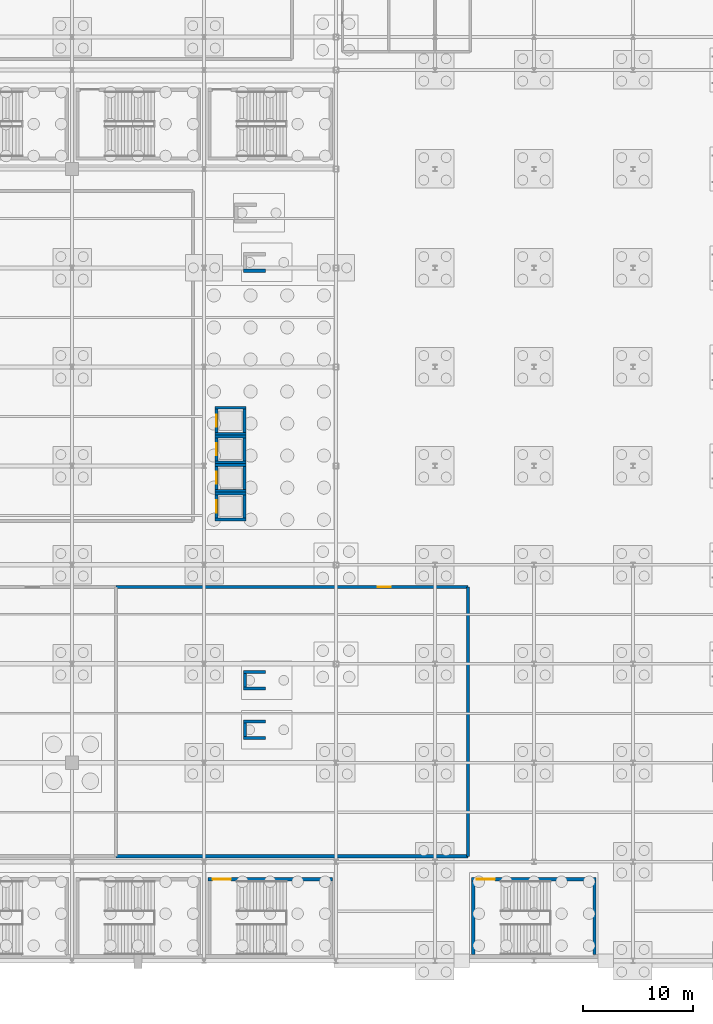
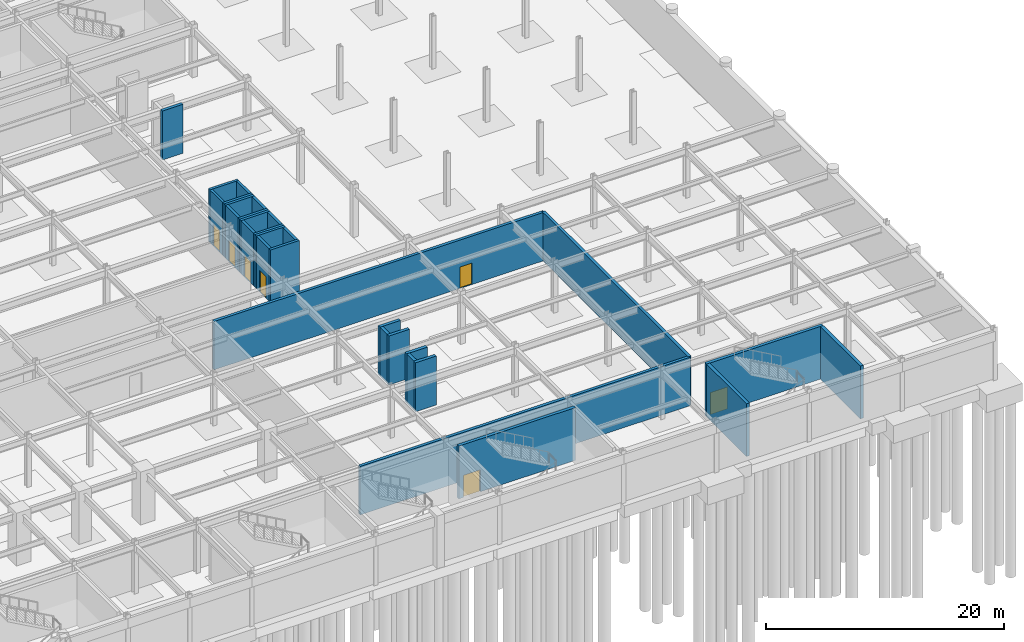
# One storey, part 33 of 47: 30 walls, 7 doors, 7 openings.
"""IFC4 building model written with IfcOpenShell, lengths in metres."""

from ifc_helpers import new_model, si_unit, direction, frame, frame_2d, origin, place, context, subcontext, project, spatial, rectangle, extrude, material, layer, layer_set, type_object, element, fill, save


model = new_model("IFC4")

# Units and contexts
model_context = context("Model", 3, precision=1e-05, world=origin(), true_north=direction((0.0, 1.0)))
body_context = subcontext(model_context, "Body", "Model", "MODEL_VIEW")
ifc_project = project(units=[si_unit("LENGTHUNIT", "METRE"), si_unit("AREAUNIT", "SQUARE_METRE"), si_unit("VOLUMEUNIT", "CUBIC_METRE"), si_unit("PLANEANGLEUNIT", "RADIAN"), si_unit("MASSUNIT", "GRAM", prefix="KILO")], contexts=[model_context])

# Site, building, storey
site_placement = place(None, origin())
site = spatial("IfcSite", under=ifc_project, at=site_placement, CompositionType="ELEMENT")
building_placement = place(site_placement, origin())
building = spatial("IfcBuilding", under=site, at=building_placement, Name="Kaldorvane Square Convention Centre", CompositionType="ELEMENT")
storey_placement = place(building_placement, frame((0.0, 0.0, -5.399993896484375)))
storey = spatial("IfcBuildingStorey", under=building, at=storey_placement, Name="B01", CompositionType="ELEMENT", Elevation=-5.399993896484375)

# Walls
ifc_material_1 = material(Name="Reinforced Concrete Masonry Acoustic Partition", Category="masonry")
ifc_layer_1 = layer(ifc_material_1, 0.279998779296875)
ifc_layer_set_1 = layer_set([ifc_layer_1], Name="Reinforced Concrete Masonry Acoustic Partition")
wall_type_1 = type_object("IfcWallType", Name="WL-ACO-280", PredefinedType="PARTITIONING", material=ifc_layer_set_1)
wall_1_placement = place(storey_placement, frame((118.0, 9.5, 0.0), z_axis=(0.0, 0.0, 1.0), x_axis=(1.0, 0.0, 0.0)))
element("IfcWall", 1, at=wall_1_placement, inside=storey, type_object=wall_type_1, Name="Emergency Standby Generator Room S Wall", PredefinedType="PARTITIONING", context=body_context, shape_type="SweptSolid", body=[
    extrude(rectangle(XDim=32.0, YDim=0.279998779296875, at=frame_2d((16.0, 0.0))), origin(), (0.0, 0.0, 1.0), 4.959991455078125),
])
wall_2_placement = place(storey_placement, frame((150.0, 9.5, 0.0), z_axis=(0.0, 0.0, 1.0), x_axis=(0.0, 1.0, 0.0)))
element("IfcWall", 2, at=wall_2_placement, inside=storey, type_object=wall_type_1, Name="Emergency Standby Generator Room E Wall", PredefinedType="PARTITIONING", context=body_context, shape_type="SweptSolid", body=[
    extrude(rectangle(XDim=24.5, YDim=0.279998779296875, at=frame_2d((12.25, 0.0))), origin(), (0.0, 0.0, 1.0), 4.959991455078125),
])

# Wall, opening, door
wall_3_placement = place(storey_placement, frame((150.0, 34.0, 0.0), z_axis=(0.0, 0.0, 1.0), x_axis=(-1.0, 0.0, 0.0)))
wall_3 = element("IfcWall", 3, at=wall_3_placement, inside=storey, type_object=wall_type_1, Name="Emergency Standby Generator Room N Wall", PredefinedType="PARTITIONING", context=body_context, shape_type="SweptSolid", body=[
    extrude(rectangle(XDim=32.0, YDim=0.279998779296875, at=frame_2d((16.0, 0.0))), origin(), (0.0, 0.0, 1.0), 4.959991455078125),
])
opening_1_placement = place(wall_3_placement, frame((7.0, 0.0, 0.0)))
opening_1 = element("IfcOpeningElement", 4, at=opening_1_placement, cuts=wall_3, Name="Opening ID-14", PredefinedType="OPENING", context=body_context, shape_type="SweptSolid", body=[
    extrude(rectangle(XDim=1.1999969482421875, YDim=2.1999969482421875, at=frame_2d((0.600006103515625, 1.100006103515625))), frame((0.0, 0.154998779296875, 0.0), z_axis=(0.0, -1.0, 0.0), x_axis=(1.0, 0.0, 0.0)), (0.0, 0.0, 1.0), 0.30999755859375),
])
ifc_material_2 = material(Name="Insulated Hollow Metal Steel", Category="steel")
door_type_1 = type_object("IfcDoorType", Name="DR-PLANT-1200X2200", OperationType="SINGLE_SWING_LEFT", PredefinedType="DOOR", material=ifc_material_2)
door_1_placement = place(opening_1_placement, origin())
door_1 = element("IfcDoor", 5, at=door_1_placement, inside=storey, type_object=door_type_1, Name="Emergency Standby Generator Room Door 1", OperationType="SINGLE_SWING_LEFT", OverallHeight=2.1999969482421875, OverallWidth=1.1999969482421875, PredefinedType="DOOR", context=body_context, shape_type="SweptSolid", body=[
    extrude(rectangle(XDim=1.1999969482421875, YDim=2.1999969482421875, at=frame_2d((0.600006103515625, 1.100006103515625))), frame((0.0, 0.024993896484375, 0.0), z_axis=(0.0, -1.0, 0.0), x_axis=(1.0, 0.0, 0.0)), (0.0, 0.0, 1.0), 0.0500030517578125),
])
fill(opening_1, door_1)

ifc_material_3 = material(Name="Concrete f'c = 55 MPa (Normalweight)", Category="concrete")
ifc_layer_2 = layer(ifc_material_3, 0.3000030517578125)
ifc_layer_set_2 = layer_set([ifc_layer_2], Name="Concrete f'c = 55 MPa (Normalweight)")
wall_type_2 = type_object("IfcWallType", Name="WL-SHAFT-300", PredefinedType="SHEAR", material=ifc_layer_set_2)
wall_4_placement = place(storey_placement, frame((137.66000366210938, 7.410003662109375, 0.0), z_axis=(0.0, 0.0, 1.0), x_axis=(-1.0, 0.0, 0.0)))
wall_4 = element("IfcWall", 6, at=wall_4_placement, inside=storey, type_object=wall_type_2, Name="Core Enclosure Wall stair:ST-C10-N (B01)", PredefinedType="SHEAR", context=body_context, shape_type="SweptSolid", body=[
    extrude(rectangle(XDim=11.32000732421875, YDim=0.3000030517578125, at=frame_2d((5.660003662109375, 0.0))), origin(), (0.0, 0.0, 1.0), 5.399993896484375),
])
opening_2_placement = place(wall_4_placement, frame((9.220001220703125, 0.0, 0.0)))
opening_2 = element("IfcOpeningElement", 7, at=opening_2_placement, cuts=wall_4, Name="Opening FD90-S2", PredefinedType="OPENING", context=body_context, shape_type="SweptSolid", body=[
    extrude(rectangle(XDim=1.649993896484375, YDim=2.25, at=frame_2d((0.8249969482421875, 1.125))), frame((0.0, 0.165008544921875, 0.0), z_axis=(0.0, -1.0, 0.0), x_axis=(1.0, 0.0, 0.0)), (0.0, 0.0, 1.0), 0.3300018310546875),
])
ifc_material_4 = material(Name="Fire-Rated Hollow Metal Steel", Category="steel")
door_type_2 = type_object("IfcDoorType", Name="DR-STAIR-1650", OperationType="DOUBLE_DOOR_SINGLE_SWING", PredefinedType="DOOR", material=ifc_material_4)
door_2_placement = place(opening_2_placement, origin())
door_2 = element("IfcDoor", 8, at=door_2_placement, inside=storey, type_object=door_type_2, Name="Convention Exit Stair C10 Fire Door (B01)", OperationType="DOUBLE_DOOR_SINGLE_SWING", OverallHeight=2.25, OverallWidth=1.649993896484375, PredefinedType="DOOR", context=body_context, shape_type="SweptSolid", body=[
    extrude(rectangle(XDim=1.649993896484375, YDim=2.25, at=frame_2d((0.8249969482421875, 1.125))), frame((0.0, 0.024993896484375, 0.0), z_axis=(0.0, -1.0, 0.0), x_axis=(1.0, 0.0, 0.0)), (0.0, 0.0, 1.0), 0.0500030517578125),
])
fill(opening_2, door_2)

wall_5_placement = place(storey_placement, frame((161.66000366210938, 7.410003662109375, 0.0), z_axis=(0.0, 0.0, 1.0), x_axis=(-1.0, 0.0, 0.0)))
wall_5 = element("IfcWall", 9, at=wall_5_placement, inside=storey, type_object=wall_type_2, Name="Core Enclosure Wall stair:ST-C11-N (B01)", PredefinedType="SHEAR", context=body_context, shape_type="SweptSolid", body=[
    extrude(rectangle(XDim=11.32000732421875, YDim=0.3000030517578125, at=frame_2d((5.660003662109375, 0.0))), origin(), (0.0, 0.0, 1.0), 5.399993896484375),
])
opening_3_placement = place(wall_5_placement, frame((9.220001220703125, 0.0, 0.0)))
opening_3 = element("IfcOpeningElement", 10, at=opening_3_placement, cuts=wall_5, Name="Opening FD90-S2", PredefinedType="OPENING", context=body_context, shape_type="SweptSolid", body=[
    extrude(rectangle(XDim=1.649993896484375, YDim=2.25, at=frame_2d((0.8249969482421875, 1.125))), frame((0.0, 0.165008544921875, 0.0), z_axis=(0.0, -1.0, 0.0), x_axis=(1.0, 0.0, 0.0)), (0.0, 0.0, 1.0), 0.3300018310546875),
])
door_3_placement = place(opening_3_placement, origin())
door_3 = element("IfcDoor", 11, at=door_3_placement, inside=storey, type_object=door_type_2, Name="Convention Exit Stair C11 Fire Door (B01)", OperationType="DOUBLE_DOOR_SINGLE_SWING", OverallHeight=2.25, OverallWidth=1.649993896484375, PredefinedType="DOOR", context=body_context, shape_type="SweptSolid", body=[
    extrude(rectangle(XDim=1.649993896484375, YDim=2.25, at=frame_2d((0.8249969482421875, 1.125))), frame((0.0, 0.024993896484375, 0.0), z_axis=(0.0, -1.0, 0.0), x_axis=(1.0, 0.0, 0.0)), (0.0, 0.0, 1.0), 0.0500030517578125),
])
fill(opening_3, door_3)

# Walls
for number, where, z_axis, x_axis, name in (
    (12, (150.49000549316406, 7.2599945068359375, 0.0), (0.0, 0.0, 1.0), (0.0, -1.0, 0.0), "Core Enclosure Wall stair:ST-C11-W (B01)"),
    (13, (161.50999450683594, 0.5500030517578125, 0.0), (0.0, 0.0, 1.0), (0.0, 1.0, 0.0), "Core Enclosure Wall stair:ST-C11-E (B01)"),
):
    element("IfcWall", number, at=place(storey_placement, frame(where, z_axis=z_axis, x_axis=x_axis)), inside=storey, type_object=wall_type_2, Name=name, PredefinedType="SHEAR", context=body_context, shape_type="SweptSolid", body=[
        extrude(rectangle(XDim=6.709991455078125, YDim=0.3000030517578125, at=frame_2d((3.3549957275390625, 0.0))), origin(), (0.0, 0.0, 1.0), 5.399993896484375),
    ])
for number, where, z_axis, x_axis, name in (
    (14, (129.5800018310547, 20.25, 0.0), (0.0, 0.0, 1.0), (1.0, 0.0, 0.0), "East Foyer Grand Stair F1 Support Pier S (B01)"),
    (15, (129.5800018310547, 21.75, 0.0), (0.0, 0.0, 1.0), (1.0, 0.0, 0.0), "East Foyer Grand Stair F1 Support Pier N (B01)"),
):
    element("IfcWall", number, at=place(storey_placement, frame(where, z_axis=z_axis, x_axis=x_axis)), inside=storey, type_object=wall_type_2, Name=name, PredefinedType="SHEAR", context=body_context, shape_type="SweptSolid", body=[
        extrude(rectangle(XDim=2.0, YDim=0.3000030517578125, at=frame_2d((1.0, 0.0))), origin(), (0.0, 0.0, 1.0), 5.019989013671875),
    ])
wall_6_placement = place(storey_placement, frame((129.72999572753906, 20.399993896484375, 0.0), z_axis=(0.0, 0.0, 1.0), x_axis=(0.0, 1.0, 0.0)))
element("IfcWall", 16, at=wall_6_placement, inside=storey, type_object=wall_type_2, Name="East Foyer Grand Stair F1 Support Pier W (B01)", PredefinedType="SHEAR", context=body_context, shape_type="SweptSolid", body=[
    extrude(rectangle(XDim=1.20001220703125, YDim=0.3000030517578125, at=frame_2d((0.600006103515625, 0.0))), origin(), (0.0, 0.0, 1.0), 5.019989013671875),
])
for number, where, z_axis, x_axis, name in (
    (17, (129.5800018310547, 24.75, 0.0), (0.0, 0.0, 1.0), (1.0, 0.0, 0.0), "East Foyer Grand Stair F2 Support Pier S (B01)"),
    (18, (129.5800018310547, 26.25, 0.0), (0.0, 0.0, 1.0), (1.0, 0.0, 0.0), "East Foyer Grand Stair F2 Support Pier N (B01)"),
):
    element("IfcWall", number, at=place(storey_placement, frame(where, z_axis=z_axis, x_axis=x_axis)), inside=storey, type_object=wall_type_2, Name=name, PredefinedType="SHEAR", context=body_context, shape_type="SweptSolid", body=[
        extrude(rectangle(XDim=2.0, YDim=0.3000030517578125, at=frame_2d((1.0, 0.0))), origin(), (0.0, 0.0, 1.0), 5.019989013671875),
    ])
wall_7_placement = place(storey_placement, frame((129.72999572753906, 24.899993896484375, 0.0), z_axis=(0.0, 0.0, 1.0), x_axis=(0.0, 1.0, 0.0)))
element("IfcWall", 19, at=wall_7_placement, inside=storey, type_object=wall_type_2, Name="East Foyer Grand Stair F2 Support Pier W (B01)", PredefinedType="SHEAR", context=body_context, shape_type="SweptSolid", body=[
    extrude(rectangle(XDim=1.20001220703125, YDim=0.3000030517578125, at=frame_2d((0.600006103515625, 0.0))), origin(), (0.0, 0.0, 1.0), 5.019989013671875),
])
wall_8_placement = place(storey_placement, frame((129.5800018310547, 62.75, 0.0), z_axis=(0.0, 0.0, 1.0), x_axis=(1.0, 0.0, 0.0)))
element("IfcWall", 20, at=wall_8_placement, inside=storey, type_object=wall_type_2, Name="East Foyer Grand Stair F3 Support Pier S (B01)", PredefinedType="SHEAR", context=body_context, shape_type="SweptSolid", body=[
    extrude(rectangle(XDim=2.0, YDim=0.3000030517578125, at=frame_2d((1.0, 0.0))), origin(), (0.0, 0.0, 1.0), 5.019989013671875),
])
for number, where, z_axis, x_axis, name in (
    (21, (127.0, 40.125, 0.0), (0.0, 0.0, 1.0), (1.0, 0.0, 0.0), "Core Enclosure Wall lift:EL-C1-S (B01)"),
    (22, (129.8000030517578, 42.475006103515625, 0.0), (0.0, 0.0, 1.0), (-1.0, 0.0, 0.0), "Core Enclosure Wall lift:EL-C1-N (B01)"),
):
    element("IfcWall", number, at=place(storey_placement, frame(where, z_axis=z_axis, x_axis=x_axis)), inside=storey, type_object=wall_type_2, Name=name, PredefinedType="SHEAR", context=body_context, shape_type="SweptSolid", body=[
        extrude(rectangle(XDim=2.8000030517578125, YDim=0.25, at=frame_2d((1.399993896484375, 0.0))), origin(), (0.0, 0.0, 1.0), 5.399993896484375),
    ])

# Wall, opening, door
wall_9_placement = place(storey_placement, frame((127.125, 42.350006103515625, 0.0), z_axis=(0.0, 0.0, 1.0), x_axis=(0.0, -1.0, 0.0)))
wall_9 = element("IfcWall", 23, at=wall_9_placement, inside=storey, type_object=wall_type_2, Name="Core Enclosure Wall lift:EL-C1-W (B01)", PredefinedType="SHEAR", context=body_context, shape_type="SweptSolid", body=[
    extrude(rectangle(XDim=2.100006103515625, YDim=0.25, at=frame_2d((1.0500030517578125, 0.0))), origin(), (0.0, 0.0, 1.0), 5.399993896484375),
])
opening_4_placement = place(wall_9_placement, frame((0.5, 0.0, 0.0)))
opening_4 = element("IfcOpeningElement", 24, at=opening_4_placement, cuts=wall_9, Name="Opening LD-01", PredefinedType="OPENING", context=body_context, shape_type="SweptSolid", body=[
    extrude(rectangle(XDim=1.100006103515625, YDim=2.1999969482421875, at=frame_2d((0.5500030517578125, 1.100006103515625))), frame((0.0, 0.1399993896484375, 0.0), z_axis=(0.0, -1.0, 0.0), x_axis=(1.0, 0.0, 0.0)), (0.0, 0.0, 1.0), 0.279998779296875),
])
ifc_material_5 = material(Name="Stainless Steel Elevator Door Assembly", Category="steel")
door_type_3 = type_object("IfcDoorType", Name="DR-LIFT-1100", OperationType="DOUBLE_DOOR_SLIDING", PredefinedType="DOOR", material=ifc_material_5)
door_4_placement = place(opening_4_placement, origin())
door_4 = element("IfcDoor", 25, at=door_4_placement, inside=storey, type_object=door_type_3, Name="Elevator Landing Door EL-C1 (B01)", OperationType="DOUBLE_DOOR_SLIDING", OverallHeight=2.1999969482421875, OverallWidth=1.100006103515625, PredefinedType="DOOR", context=body_context, shape_type="SweptSolid", body=[
    extrude(rectangle(XDim=1.100006103515625, YDim=2.1999969482421875, at=frame_2d((0.5500030517578125, 1.100006103515625))), frame((0.0, 0.024993896484375, 0.0), z_axis=(0.0, -1.0, 0.0), x_axis=(1.0, 0.0, 0.0)), (0.0, 0.0, 1.0), 0.0500030517578125),
])
fill(opening_4, door_4)

# Walls
wall_10_placement = place(storey_placement, frame((129.6750030517578, 40.25, 0.0), z_axis=(0.0, 0.0, 1.0), x_axis=(0.0, 1.0, 0.0)))
element("IfcWall", 26, at=wall_10_placement, inside=storey, type_object=wall_type_2, Name="Core Enclosure Wall lift:EL-C1-E (B01)", PredefinedType="SHEAR", context=body_context, shape_type="SweptSolid", body=[
    extrude(rectangle(XDim=2.100006103515625, YDim=0.25, at=frame_2d((1.0500030517578125, 0.0))), origin(), (0.0, 0.0, 1.0), 5.399993896484375),
])
for number, where, z_axis, x_axis, name in (
    (27, (127.0, 42.725006103515625, 0.0), (0.0, 0.0, 1.0), (1.0, 0.0, 0.0), "Core Enclosure Wall lift:EL-C2-S (B01)"),
    (28, (129.8000030517578, 45.07499694824219, 0.0), (0.0, 0.0, 1.0), (-1.0, 0.0, 0.0), "Core Enclosure Wall lift:EL-C2-N (B01)"),
):
    element("IfcWall", number, at=place(storey_placement, frame(where, z_axis=z_axis, x_axis=x_axis)), inside=storey, type_object=wall_type_2, Name=name, PredefinedType="SHEAR", context=body_context, shape_type="SweptSolid", body=[
        extrude(rectangle(XDim=2.8000030517578125, YDim=0.25, at=frame_2d((1.399993896484375, 0.0))), origin(), (0.0, 0.0, 1.0), 5.399993896484375),
    ])

# Wall, opening, door
wall_11_placement = place(storey_placement, frame((127.125, 44.94999694824219, 0.0), z_axis=(0.0, 0.0, 1.0), x_axis=(0.0, -1.0, 0.0)))
wall_11 = element("IfcWall", 29, at=wall_11_placement, inside=storey, type_object=wall_type_2, Name="Core Enclosure Wall lift:EL-C2-W (B01)", PredefinedType="SHEAR", context=body_context, shape_type="SweptSolid", body=[
    extrude(rectangle(XDim=2.0999908447265625, YDim=0.25, at=frame_2d((1.04998779296875, 0.0))), origin(), (0.0, 0.0, 1.0), 5.399993896484375),
])
opening_5_placement = place(wall_11_placement, frame((0.5, 0.0, 0.0)))
opening_5 = element("IfcOpeningElement", 30, at=opening_5_placement, cuts=wall_11, Name="Opening LD-01", PredefinedType="OPENING", context=body_context, shape_type="SweptSolid", body=[
    extrude(rectangle(XDim=1.100006103515625, YDim=2.1999969482421875, at=frame_2d((0.5500030517578125, 1.100006103515625))), frame((0.0, 0.1399993896484375, 0.0), z_axis=(0.0, -1.0, 0.0), x_axis=(1.0, 0.0, 0.0)), (0.0, 0.0, 1.0), 0.279998779296875),
])
door_5_placement = place(opening_5_placement, origin())
door_5 = element("IfcDoor", 31, at=door_5_placement, inside=storey, type_object=door_type_3, Name="Elevator Landing Door EL-C2 (B01)", OperationType="DOUBLE_DOOR_SLIDING", OverallHeight=2.1999969482421875, OverallWidth=1.100006103515625, PredefinedType="DOOR", context=body_context, shape_type="SweptSolid", body=[
    extrude(rectangle(XDim=1.100006103515625, YDim=2.1999969482421875, at=frame_2d((0.5500030517578125, 1.100006103515625))), frame((0.0, 0.024993896484375, 0.0), z_axis=(0.0, -1.0, 0.0), x_axis=(1.0, 0.0, 0.0)), (0.0, 0.0, 1.0), 0.0500030517578125),
])
fill(opening_5, door_5)

# Walls
wall_12_placement = place(storey_placement, frame((129.6750030517578, 42.850006103515625, 0.0), z_axis=(0.0, 0.0, 1.0), x_axis=(0.0, 1.0, 0.0)))
element("IfcWall", 32, at=wall_12_placement, inside=storey, type_object=wall_type_2, Name="Core Enclosure Wall lift:EL-C2-E (B01)", PredefinedType="SHEAR", context=body_context, shape_type="SweptSolid", body=[
    extrude(rectangle(XDim=2.0999908447265625, YDim=0.25, at=frame_2d((1.04998779296875, 0.0))), origin(), (0.0, 0.0, 1.0), 5.399993896484375),
])
for number, where, z_axis, x_axis, name in (
    (33, (127.0, 45.32499694824219, 0.0), (0.0, 0.0, 1.0), (1.0, 0.0, 0.0), "Core Enclosure Wall lift:EL-C3-S (B01)"),
    (34, (129.8000030517578, 47.67500305175781, 0.0), (0.0, 0.0, 1.0), (-1.0, 0.0, 0.0), "Core Enclosure Wall lift:EL-C3-N (B01)"),
):
    element("IfcWall", number, at=place(storey_placement, frame(where, z_axis=z_axis, x_axis=x_axis)), inside=storey, type_object=wall_type_2, Name=name, PredefinedType="SHEAR", context=body_context, shape_type="SweptSolid", body=[
        extrude(rectangle(XDim=2.8000030517578125, YDim=0.25, at=frame_2d((1.399993896484375, 0.0))), origin(), (0.0, 0.0, 1.0), 5.399993896484375),
    ])

# Wall, opening, door
wall_13_placement = place(storey_placement, frame((127.125, 47.55000305175781, 0.0), z_axis=(0.0, 0.0, 1.0), x_axis=(0.0, -1.0, 0.0)))
wall_13 = element("IfcWall", 35, at=wall_13_placement, inside=storey, type_object=wall_type_2, Name="Core Enclosure Wall lift:EL-C3-W (B01)", PredefinedType="SHEAR", context=body_context, shape_type="SweptSolid", body=[
    extrude(rectangle(XDim=2.100006103515625, YDim=0.25, at=frame_2d((1.0500030517578125, 0.0))), origin(), (0.0, 0.0, 1.0), 5.399993896484375),
])
opening_6_placement = place(wall_13_placement, frame((0.5, 0.0, 0.0)))
opening_6 = element("IfcOpeningElement", 36, at=opening_6_placement, cuts=wall_13, Name="Opening LD-01", PredefinedType="OPENING", context=body_context, shape_type="SweptSolid", body=[
    extrude(rectangle(XDim=1.100006103515625, YDim=2.1999969482421875, at=frame_2d((0.5500030517578125, 1.100006103515625))), frame((0.0, 0.1399993896484375, 0.0), z_axis=(0.0, -1.0, 0.0), x_axis=(1.0, 0.0, 0.0)), (0.0, 0.0, 1.0), 0.279998779296875),
])
door_6_placement = place(opening_6_placement, origin())
door_6 = element("IfcDoor", 37, at=door_6_placement, inside=storey, type_object=door_type_3, Name="Elevator Landing Door EL-C3 (B01)", OperationType="DOUBLE_DOOR_SLIDING", OverallHeight=2.1999969482421875, OverallWidth=1.100006103515625, PredefinedType="DOOR", context=body_context, shape_type="SweptSolid", body=[
    extrude(rectangle(XDim=1.100006103515625, YDim=2.1999969482421875, at=frame_2d((0.5500030517578125, 1.100006103515625))), frame((0.0, 0.024993896484375, 0.0), z_axis=(0.0, -1.0, 0.0), x_axis=(1.0, 0.0, 0.0)), (0.0, 0.0, 1.0), 0.0500030517578125),
])
fill(opening_6, door_6)

# Walls
wall_14_placement = place(storey_placement, frame((129.6750030517578, 45.44999694824219, 0.0), z_axis=(0.0, 0.0, 1.0), x_axis=(0.0, 1.0, 0.0)))
element("IfcWall", 38, at=wall_14_placement, inside=storey, type_object=wall_type_2, Name="Core Enclosure Wall lift:EL-C3-E (B01)", PredefinedType="SHEAR", context=body_context, shape_type="SweptSolid", body=[
    extrude(rectangle(XDim=2.100006103515625, YDim=0.25, at=frame_2d((1.0500030517578125, 0.0))), origin(), (0.0, 0.0, 1.0), 5.399993896484375),
])
for number, where, z_axis, x_axis, name in (
    (39, (127.0, 47.92500305175781, 0.0), (0.0, 0.0, 1.0), (1.0, 0.0, 0.0), "Core Enclosure Wall lift:EL-C4-S (B01)"),
    (40, (129.8000030517578, 50.274993896484375, 0.0), (0.0, 0.0, 1.0), (-1.0, 0.0, 0.0), "Core Enclosure Wall lift:EL-C4-N (B01)"),
):
    element("IfcWall", number, at=place(storey_placement, frame(where, z_axis=z_axis, x_axis=x_axis)), inside=storey, type_object=wall_type_2, Name=name, PredefinedType="SHEAR", context=body_context, shape_type="SweptSolid", body=[
        extrude(rectangle(XDim=2.8000030517578125, YDim=0.25, at=frame_2d((1.399993896484375, 0.0))), origin(), (0.0, 0.0, 1.0), 5.399993896484375),
    ])

# Wall, opening, door
wall_15_placement = place(storey_placement, frame((127.125, 50.149993896484375, 0.0), z_axis=(0.0, 0.0, 1.0), x_axis=(0.0, -1.0, 0.0)))
wall_15 = element("IfcWall", 41, at=wall_15_placement, inside=storey, type_object=wall_type_2, Name="Core Enclosure Wall lift:EL-C4-W (B01)", PredefinedType="SHEAR", context=body_context, shape_type="SweptSolid", body=[
    extrude(rectangle(XDim=2.0999908447265625, YDim=0.25, at=frame_2d((1.04998779296875, 0.0))), origin(), (0.0, 0.0, 1.0), 5.399993896484375),
])
opening_7_placement = place(wall_15_placement, frame((0.5, 0.0, 0.0)))
opening_7 = element("IfcOpeningElement", 42, at=opening_7_placement, cuts=wall_15, Name="Opening LD-01", PredefinedType="OPENING", context=body_context, shape_type="SweptSolid", body=[
    extrude(rectangle(XDim=1.100006103515625, YDim=2.1999969482421875, at=frame_2d((0.5500030517578125, 1.100006103515625))), frame((0.0, 0.1399993896484375, 0.0), z_axis=(0.0, -1.0, 0.0), x_axis=(1.0, 0.0, 0.0)), (0.0, 0.0, 1.0), 0.279998779296875),
])
door_7_placement = place(opening_7_placement, origin())
door_7 = element("IfcDoor", 43, at=door_7_placement, inside=storey, type_object=door_type_3, Name="Elevator Landing Door EL-C4 (B01)", OperationType="DOUBLE_DOOR_SLIDING", OverallHeight=2.1999969482421875, OverallWidth=1.100006103515625, PredefinedType="DOOR", context=body_context, shape_type="SweptSolid", body=[
    extrude(rectangle(XDim=1.100006103515625, YDim=2.1999969482421875, at=frame_2d((0.5500030517578125, 1.100006103515625))), frame((0.0, 0.024993896484375, 0.0), z_axis=(0.0, -1.0, 0.0), x_axis=(1.0, 0.0, 0.0)), (0.0, 0.0, 1.0), 0.0500030517578125),
])
fill(opening_7, door_7)

# Wall
wall_16_placement = place(storey_placement, frame((129.6750030517578, 48.05000305175781, 0.0), z_axis=(0.0, 0.0, 1.0), x_axis=(0.0, 1.0, 0.0)))
element("IfcWall", 44, at=wall_16_placement, inside=storey, type_object=wall_type_2, Name="Core Enclosure Wall lift:EL-C4-E (B01)", PredefinedType="SHEAR", context=body_context, shape_type="SweptSolid", body=[
    extrude(rectangle(XDim=2.0999908447265625, YDim=0.25, at=frame_2d((1.04998779296875, 0.0))), origin(), (0.0, 0.0, 1.0), 5.399993896484375),
])

save(model, "model.ifc")
